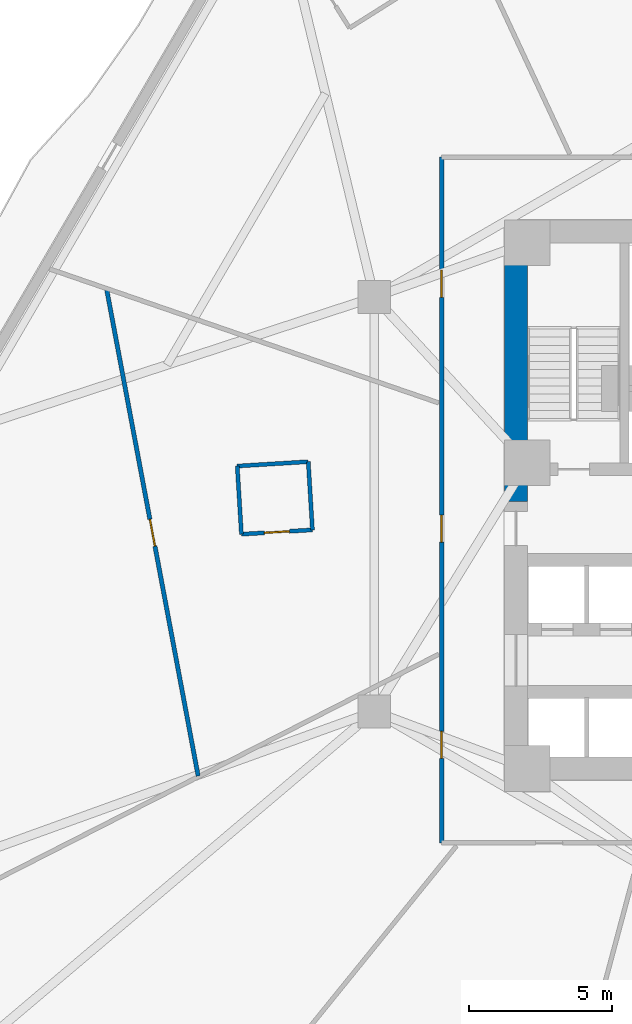
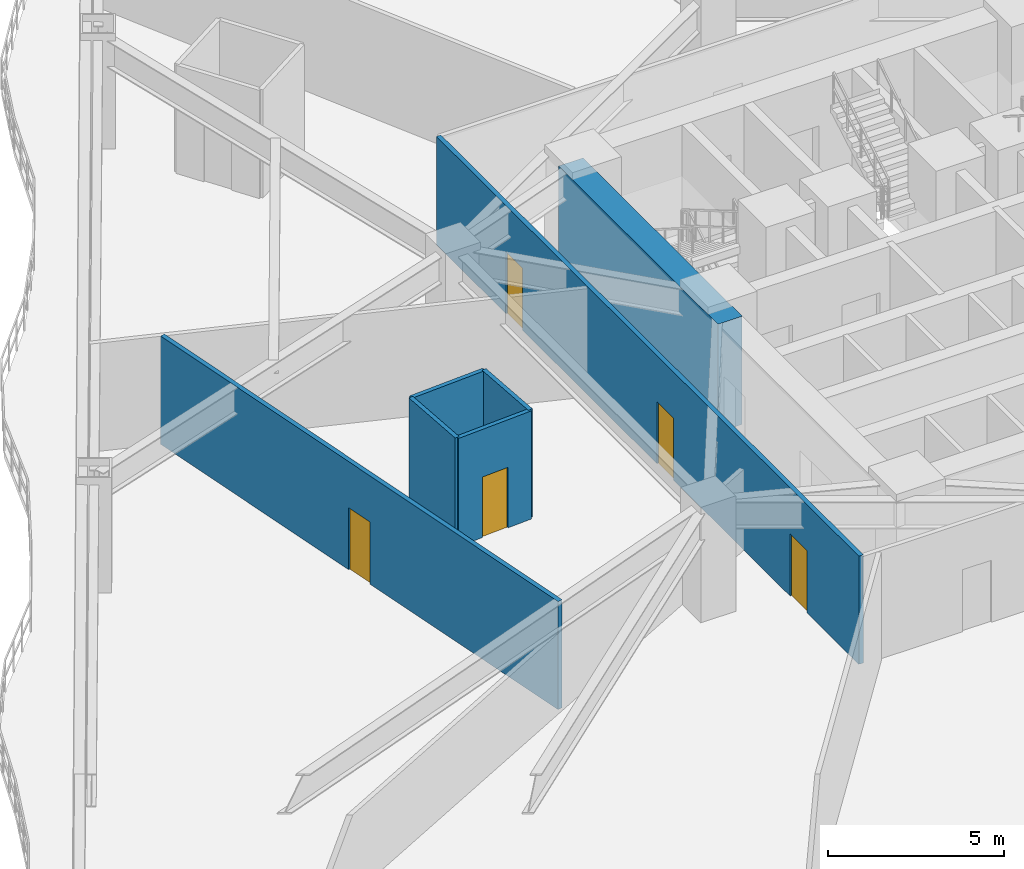
# One storey, part 3 of 11: 7 walls, 5 doors, 5 openings.
"""IFC4 building model written with IfcOpenShell, lengths in metres."""

from ifc_helpers import new_model, si_unit, direction, frame, frame_2d, origin, place, context, subcontext, project, spatial, rectangle, extrude, material, layer, layer_set, type_object, element, fill, save


model = new_model("IFC4")

# Units and contexts
model_context = context("Model", 3, precision=1e-05, world=origin(), true_north=direction((0.0, 1.0)))
body_context = subcontext(model_context, "Body", "Model", "MODEL_VIEW")
ifc_project = project(units=[si_unit("LENGTHUNIT", "METRE"), si_unit("AREAUNIT", "SQUARE_METRE"), si_unit("VOLUMEUNIT", "CUBIC_METRE"), si_unit("PLANEANGLEUNIT", "RADIAN"), si_unit("MASSUNIT", "GRAM", prefix="KILO")], contexts=[model_context])

# Site, building, storey
site_placement = place(None, origin())
site = spatial("IfcSite", under=ifc_project, at=site_placement, CompositionType="ELEMENT")
building_placement = place(site_placement, origin())
building = spatial("IfcBuilding", under=site, at=building_placement, Name="Apsidion Concourse Tower", CompositionType="ELEMENT")
storey_placement = place(building_placement, frame((0.0, 0.0, 46.39990234375)))
storey = spatial("IfcBuildingStorey", under=building, at=storey_placement, Name="L09", CompositionType="ELEMENT", Elevation=46.39990234375)

# Walls
ifc_material_1 = material(Name="Gypsum plasterboard partition")
ifc_layer_1 = layer(ifc_material_1, 0.139892578125)
ifc_layer_set_1 = layer_set([ifc_layer_1], Name="Gypsum plasterboard partition")
wall_type_1 = type_object("IfcWallType", Name="WL-INT-PAR-140", PredefinedType="PARTITIONING", material=ifc_layer_set_1)
wall_1_placement = place(storey_placement, frame((-14.86865234375, 1.489501953125, 0.0), z_axis=(0.0, 0.0, 1.0), x_axis=(-0.998138593178, -0.060986464141, 0.0)))
element("IfcWall", 1, at=wall_1_placement, inside=storey, type_object=wall_type_1, Name="L09 Interior Partition WL-L09-POD-HKAWC-S1", PredefinedType="PARTITIONING", context=body_context, shape_type="SweptSolid", body=[
    extrude(rectangle(XDim=2.489990234375, YDim=0.139892578125, at=frame_2d((1.2451171875, 0.0))), origin(), (0.0, 0.0, 1.0), 3.75),
])
wall_2_placement = place(storey_placement, frame((-17.35400390625, 1.337646484375, 0.0), z_axis=(0.0, 0.0, 1.0), x_axis=(0.060985444409, -0.998138655483, 0.0)))
element("IfcWall", 2, at=wall_2_placement, inside=storey, type_object=wall_type_1, Name="L09 Interior Partition WL-L09-POD-HKAWC-S2", PredefinedType="PARTITIONING", context=body_context, shape_type="SweptSolid", body=[
    extrude(rectangle(XDim=2.389892578125, YDim=0.139892578125, at=frame_2d((1.19482421875, 0.0))), origin(), (0.0, 0.0, 1.0), 3.75),
])

# Wall, opening, door
wall_3_placement = place(storey_placement, frame((-17.208251953125, -1.0478515625, 0.0), z_axis=(0.0, 0.0, 1.0), x_axis=(0.998138593178, 0.060986464141, 0.0)))
wall_3 = element("IfcWall", 3, at=wall_3_placement, inside=storey, type_object=wall_type_1, Name="L09 Interior Partition WL-L09-POD-HKAWC-S3", PredefinedType="PARTITIONING", context=body_context, shape_type="SweptSolid", body=[
    extrude(rectangle(XDim=2.489990234375, YDim=0.139892578125, at=frame_2d((1.2451171875, 0.0))), origin(), (0.0, 0.0, 1.0), 3.75),
])
opening_1_placement = place(wall_3_placement, frame((0.804931640625, 0.0, 0.0)))
opening_1 = element("IfcOpeningElement", 4, at=opening_1_placement, cuts=wall_3, Name="Opening D-03L", PredefinedType="OPENING", context=body_context, shape_type="SweptSolid", body=[
    extrude(rectangle(XDim=0.8798828125, YDim=2.10009765625, at=frame_2d((0.43994140625, 1.050048828125))), frame((0.0, 0.080078125, 0.0), z_axis=(0.0, -1.0, 0.0), x_axis=(1.0, 0.0, 0.0)), (0.0, 0.0, 1.0), 0.159912109375),
])
ifc_material_2 = material(Name="Anodised aluminium EN AW-6063 T6", Category="aluminium")
door_type_1 = type_object("IfcDoorType", Name="DR-INT-D03L", OperationType="SINGLE_SWING_LEFT", PredefinedType="DOOR", material=ifc_material_2)
door_1_placement = place(opening_1_placement, origin())
door_1 = element("IfcDoor", 5, at=door_1_placement, inside=storey, type_object=door_type_1, Name="L09 Hotel Accessible WC Door HKAWC", OperationType="SINGLE_SWING_LEFT", OverallHeight=2.10009765625, OverallWidth=0.8798828125, PredefinedType="DOOR", context=body_context, shape_type="SweptSolid", body=[
    extrude(rectangle(XDim=0.8798828125, YDim=2.10009765625, at=frame_2d((0.43994140625, 1.050048828125))), frame((0.0, 0.02490234375, 0.0), z_axis=(0.0, -1.0, 0.0), x_axis=(1.0, 0.0, 0.0)), (0.0, 0.0, 1.0), 0.050048828125),
])
fill(opening_1, door_1)

# Wall
wall_4_placement = place(storey_placement, frame((-14.722900390625, -0.89599609375, 0.0), z_axis=(0.0, 0.0, 1.0), x_axis=(-0.060985444409, 0.998138655483, 0.0)))
element("IfcWall", 6, at=wall_4_placement, inside=storey, type_object=wall_type_1, Name="L09 Interior Partition WL-L09-POD-HKAWC-S4", PredefinedType="PARTITIONING", context=body_context, shape_type="SweptSolid", body=[
    extrude(rectangle(XDim=2.389892578125, YDim=0.139892578125, at=frame_2d((1.19482421875, 0.0))), origin(), (0.0, 0.0, 1.0), 3.75),
])

# Wall, openings, doors
ifc_layer_2 = layer(ifc_material_1, 0.14990234375)
ifc_layer_set_2 = layer_set([ifc_layer_2], Name="Gypsum plasterboard partition")
wall_type_2 = type_object("IfcWallType", Name="WL-INT-PAR-150", PredefinedType="PARTITIONING", material=ifc_layer_set_2)
wall_5_placement = place(storey_placement, frame((-10.199951171875, -11.85009765625, 0.0), z_axis=(0.0, 0.0, 1.0), x_axis=(0.0, 1.0, 0.0)))
wall_5 = element("IfcWall", 7, at=wall_5_placement, inside=storey, type_object=wall_type_2, Name="L09 Interior Partition WL-L09-CORR-04", PredefinedType="PARTITIONING", context=body_context, shape_type="SweptSolid", body=[
    extrude(rectangle(XDim=24.0, YDim=0.14990234375, at=frame_2d((12.0, 0.0))), origin(), (0.0, 0.0, 1.0), 3.75),
])
opening_2_placement = place(wall_5_placement, frame((10.524169921875, 0.0, 0.0)))
opening_2 = element("IfcOpeningElement", 8, at=opening_2_placement, cuts=wall_5, Name="Opening D-01L", PredefinedType="OPENING", context=body_context, shape_type="SweptSolid", body=[
    extrude(rectangle(XDim=0.949951171875, YDim=2.14990234375, at=frame_2d((0.47509765625, 1.074951171875))), frame((0.0, 0.0849609375, 0.0), z_axis=(0.0, -1.0, 0.0), x_axis=(1.0, 0.0, 0.0)), (0.0, 0.0, 1.0), 0.169921875),
])
opening_3_placement = place(wall_5_placement, frame((2.95458984375, 0.0, 0.0)))
opening_3 = element("IfcOpeningElement", 9, at=opening_3_placement, cuts=wall_5, Name="Opening D-01R", PredefinedType="OPENING", context=body_context, shape_type="SweptSolid", body=[
    extrude(rectangle(XDim=0.949951171875, YDim=2.14990234375, at=frame_2d((0.47509765625, 1.074951171875))), frame((0.0, 0.0849609375, 0.0), z_axis=(0.0, -1.0, 0.0), x_axis=(1.0, 0.0, 0.0)), (0.0, 0.0, 1.0), 0.169921875),
])
opening_4_placement = place(wall_5_placement, frame((19.094482421875, 0.0, 0.0)))
opening_4 = element("IfcOpeningElement", 10, at=opening_4_placement, cuts=wall_5, Name="Opening D-01R", PredefinedType="OPENING", context=body_context, shape_type="SweptSolid", body=[
    extrude(rectangle(XDim=0.949951171875, YDim=2.14990234375, at=frame_2d((0.47509765625, 1.074951171875))), frame((0.0, 0.0849609375, 0.0), z_axis=(0.0, -1.0, 0.0), x_axis=(1.0, 0.0, 0.0)), (0.0, 0.0, 1.0), 0.169921875),
])
ifc_material_3 = material(Name="Brushed stainless steel 316", Category="steel")
door_type_2 = type_object("IfcDoorType", Name="DR-INT-D01L", OperationType="SINGLE_SWING_LEFT", PredefinedType="DOOR", material=ifc_material_3)
door_2_placement = place(opening_2_placement, origin())
door_2 = element("IfcDoor", 11, at=door_2_placement, inside=storey, type_object=door_type_2, Name="L09 Corridor Entry Door 01", OperationType="SINGLE_SWING_LEFT", OverallHeight=2.14990234375, OverallWidth=0.949951171875, PredefinedType="DOOR", context=body_context, shape_type="SweptSolid", body=[
    extrude(rectangle(XDim=0.949951171875, YDim=2.14990234375, at=frame_2d((0.47509765625, 1.074951171875))), frame((0.0, 0.02490234375, 0.0), z_axis=(0.0, -1.0, 0.0), x_axis=(1.0, 0.0, 0.0)), (0.0, 0.0, 1.0), 0.050048828125),
])
fill(opening_2, door_2)
door_type_3 = type_object("IfcDoorType", Name="DR-INT-D01R", OperationType="SINGLE_SWING_RIGHT", PredefinedType="DOOR", material=ifc_material_3)
door_3_placement = place(opening_3_placement, origin())
door_3 = element("IfcDoor", 12, at=door_3_placement, inside=storey, type_object=door_type_3, Name="L09 Corridor Entry Door 02", OperationType="SINGLE_SWING_RIGHT", OverallHeight=2.14990234375, OverallWidth=0.949951171875, PredefinedType="DOOR", context=body_context, shape_type="SweptSolid", body=[
    extrude(rectangle(XDim=0.949951171875, YDim=2.14990234375, at=frame_2d((0.47509765625, 1.074951171875))), frame((0.0, 0.02490234375, 0.0), z_axis=(0.0, -1.0, 0.0), x_axis=(1.0, 0.0, 0.0)), (0.0, 0.0, 1.0), 0.050048828125),
])
fill(opening_3, door_3)
door_4_placement = place(opening_4_placement, origin())
door_4 = element("IfcDoor", 13, at=door_4_placement, inside=storey, type_object=door_type_3, Name="L09 Corridor Entry Door 10", OperationType="SINGLE_SWING_RIGHT", OverallHeight=2.14990234375, OverallWidth=0.949951171875, PredefinedType="DOOR", context=body_context, shape_type="SweptSolid", body=[
    extrude(rectangle(XDim=0.949951171875, YDim=2.14990234375, at=frame_2d((0.47509765625, 1.074951171875))), frame((0.0, 0.02490234375, 0.0), z_axis=(0.0, -1.0, 0.0), x_axis=(1.0, 0.0, 0.0)), (0.0, 0.0, 1.0), 0.050048828125),
])
fill(opening_4, door_4)

# Wall, opening, door
wall_6_placement = place(storey_placement, frame((-21.9248046875, 7.522705078125, 0.0), z_axis=(0.0, 0.0, 1.0), x_axis=(0.184777528705, -0.982780374695, 0.0)))
wall_6 = element("IfcWall", 14, at=wall_6_placement, inside=storey, type_object=wall_type_2, Name="L09 Interior Partition WL-L09-CHD-HKWC", PredefinedType="PARTITIONING", context=body_context, shape_type="SweptSolid", body=[
    extrude(rectangle(XDim=17.332275390625, YDim=0.14990234375, at=frame_2d((8.666015625, 0.0))), origin(), (0.0, 0.0, 1.0), 3.75),
])
opening_5_placement = place(wall_6_placement, frame((8.19140625, 0.0, 0.0)))
opening_5 = element("IfcOpeningElement", 15, at=opening_5_placement, cuts=wall_6, Name="Opening D-04R", PredefinedType="OPENING", context=body_context, shape_type="SweptSolid", body=[
    extrude(rectangle(XDim=0.949951171875, YDim=2.14990234375, at=frame_2d((0.47509765625, 1.074951171875))), frame((0.0, 0.0849609375, 0.0), z_axis=(0.0, -1.0, 0.0), x_axis=(1.0, 0.0, 0.0)), (0.0, 0.0, 1.0), 0.169921875),
])
door_type_4 = type_object("IfcDoorType", Name="DR-INT-D04R", OperationType="SINGLE_SWING_RIGHT", PredefinedType="DOOR", material=ifc_material_3)
door_5_placement = place(opening_5_placement, origin())
door_5 = element("IfcDoor", 16, at=door_5_placement, inside=storey, type_object=door_type_4, Name="L09 Suite Connecting Door HKWC", OperationType="SINGLE_SWING_RIGHT", OverallHeight=2.14990234375, OverallWidth=0.949951171875, PredefinedType="DOOR", context=body_context, shape_type="SweptSolid", body=[
    extrude(rectangle(XDim=0.949951171875, YDim=2.14990234375, at=frame_2d((0.47509765625, 1.074951171875))), frame((0.0, 0.02490234375, 0.0), z_axis=(0.0, -1.0, 0.0), x_axis=(1.0, 0.0, 0.0)), (0.0, 0.0, 1.0), 0.050048828125),
])
fill(opening_5, door_5)

# Wall
ifc_material_4 = material(Name="Concrete C60/75", Category="concrete")
ifc_layer_3 = layer(ifc_material_4, 0.800048828125)
ifc_layer_set_3 = layer_set([ifc_layer_3], Name="Concrete C60/75")
wall_type_3 = type_object("IfcWallType", Name="WL-SH-800", PredefinedType="SHEAR", material=ifc_layer_set_3)
wall_7_placement = place(storey_placement, frame((-7.60009765625, 0.10009765625, 0.0), z_axis=(0.0, 0.0, 1.0), x_axis=(0.0, 1.0, 0.0)))
element("IfcWall", 17, at=wall_7_placement, inside=storey, type_object=wall_type_3, Name="L09 Central Core Shear Wall WN", PredefinedType="SHEAR", context=body_context, shape_type="SweptSolid", body=[
    extrude(rectangle(XDim=9.0498046875, YDim=0.800048828125, at=frame_2d((4.52490234375, 0.0))), origin(), (0.0, 0.0, 1.0), 3.75),
])

save(model, "model.ifc")
